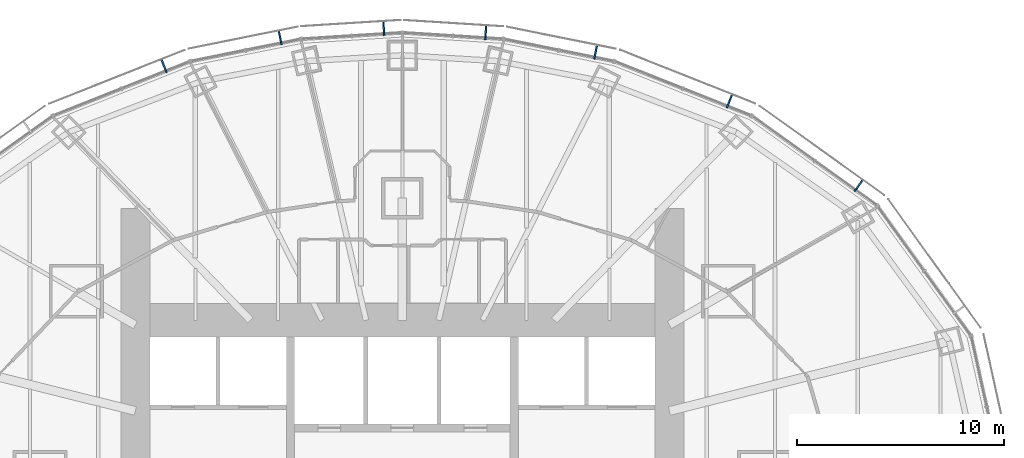
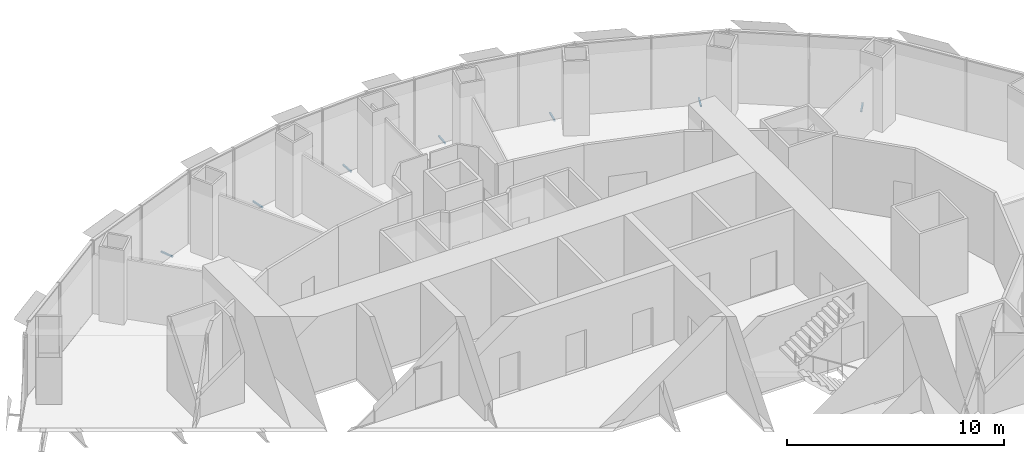
# One storey, part 15 of 18: 7 discrete accessories.
"""IFC4 building model written with IfcOpenShell, lengths in metres."""

from ifc_helpers import new_model, si_unit, direction, frame, origin, origin_2d, place, context, subcontext, project, spatial, rectangle, extrude, element, save


model = new_model("IFC4")

# Units and contexts
model_context = context("Model", 3, precision=1e-05, world=origin(), true_north=direction((0.0, 1.0)))
body_context = subcontext(model_context, "Body", "Model", "MODEL_VIEW")
ifc_project = project(units=[si_unit("LENGTHUNIT", "METRE"), si_unit("AREAUNIT", "SQUARE_METRE"), si_unit("VOLUMEUNIT", "CUBIC_METRE"), si_unit("PLANEANGLEUNIT", "RADIAN"), si_unit("MASSUNIT", "GRAM", prefix="KILO")], contexts=[model_context])

# Site, building, storey
site_placement = place(None, origin())
site = spatial("IfcSite", under=ifc_project, at=site_placement, CompositionType="ELEMENT")
building_placement = place(site_placement, origin())
building = spatial("IfcBuilding", under=site, at=building_placement, Name="Lantaw Convention Tower", CompositionType="ELEMENT")
storey_placement = place(building_placement, frame((0.0, 0.0, 138.39990234375)))
storey = spatial("IfcBuildingStorey", under=building, at=storey_placement, Name="L32", CompositionType="ELEMENT", Elevation=138.39990234375)

# Discrete accessories
for number, where, z_axis, x_axis, name in (
    (1, (22.044189453125, 14.10546875, -0.114990234375), (0.0, 0.0, 1.0), (-0.813208325995, 0.581972695693, 0.0), "Screen bracket"),
    (2, (15.802978515625, 18.18798828125, -0.114990234375), (0.0, 0.0, 1.0), (-0.929547687544, 0.368701907483, 0.0), "Screen bracket"),
    (3, (9.339599609375, 20.56005859375, -0.114990234375), (0.0, 0.0, 1.0), (-0.980301514912, 0.197506809659, 0.0), "Screen bracket"),
    (4, (4.027099609375, 21.505859375, -0.114990234375), (0.0, 0.0, 1.0), (-0.998022035978, 0.062865059466, 0.0), "Screen bracket"),
    (5, (-0.89794921875, 21.702880859375, -0.114990234375), (0.0, 0.0, 1.0), (-0.998022035978, -0.062865059466, 0.0), "Screen bracket"),
    (6, (-5.903076171875, 21.25244140625, -0.114990234375), (0.0, 0.0, 1.0), (-0.980301514912, -0.197506809659, 0.0), "Screen bracket"),
    (7, (-11.517822265625, 19.887939453125, -0.114990234375), (0.0, 0.0, 1.0), (-0.929547687544, -0.368701907483, 0.0), "Screen bracket"),
):
    element("IfcDiscreteAccessory", number, at=place(storey_placement, frame(where, z_axis=z_axis, x_axis=x_axis)), inside=storey, Name=name, PredefinedType="BRACKET", context=body_context, shape_type="SweptSolid", body=[
        extrude(rectangle(XDim=0.080078125, YDim=0.68798828125, at=origin_2d()), origin(), (0.0, 0.0, 1.0), 0.080078125),
    ])

save(model, "model.ifc")
